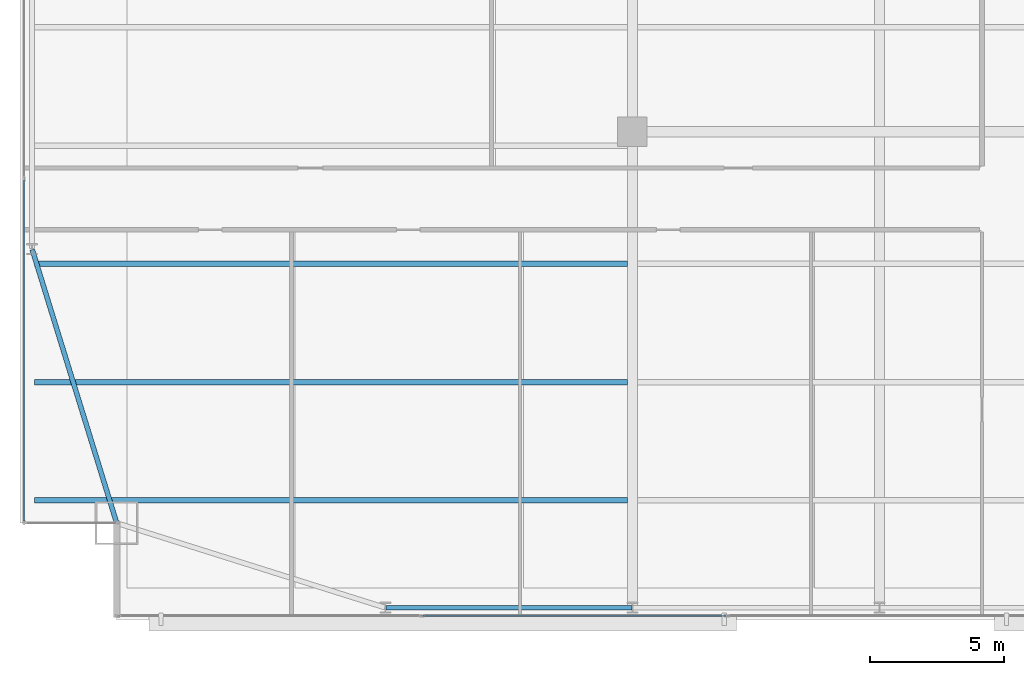
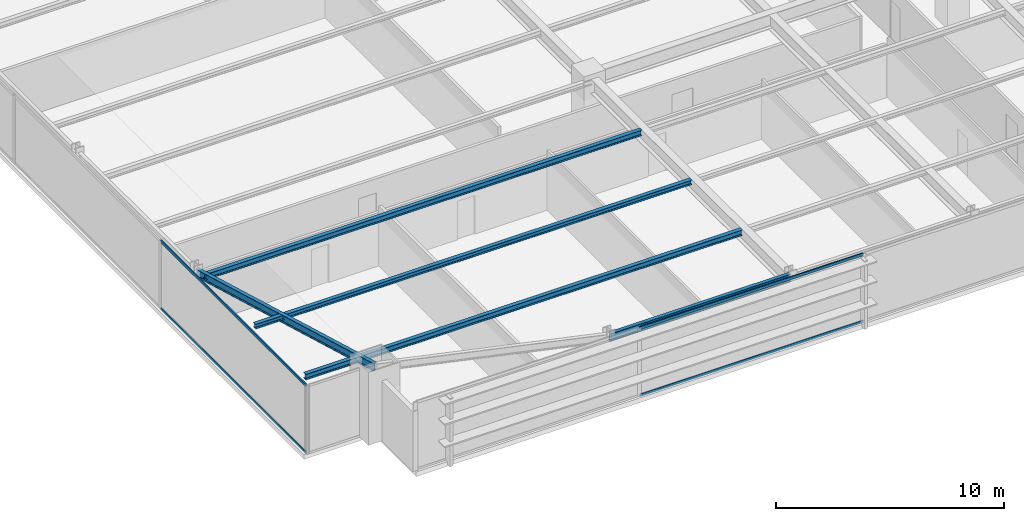
# One storey, part 5 of 30: 5 beams, 4 members, 2 elements without a shape of their own.
"""IFC4 building model written with IfcOpenShell, lengths in metres."""

import ifcopenshell
import ifcopenshell.guid

model = None  # the IFC model being written
_history = None  # IfcOwnerHistory: only IFC2X3 demands one
_inside = {}  # id of a spatial element -> (the spatial element, [elements in it])
_under = {}  # id of a project, library or spatial element -> (it, [spatial elements below it])
_declared = {}  # id of a project -> (the project, [libraries it declares])
_typed = {}  # id of a type object -> (the type object, [elements of that type])
_made_of = {}  # id of a material, layer set ... -> (it, [elements and type objects made of it])


def new_model(schema):
    """Start an empty IFC model of exactly this schema.

    Asked for "IFC4X3", IfcOpenShell would pick the latest addendum, in which some entities
    have other attributes; the version numbers below select the first issue.
    IFC2X3 requires an IfcOwnerHistory on every rooted entity: one is made here for all.
    """
    global model, _history
    if schema == "IFC4X3":
        model = ifcopenshell.file(schema_version=(4, 3, 0, 0))
    else:
        model = ifcopenshell.file(schema=schema)
    _inside.clear()
    _under.clear()
    _declared.clear()
    _typed.clear()
    _made_of.clear()
    _history = None
    if model.schema == "IFC2X3":
        org = make("IfcOrganization", Name="unknown")
        user = make(
            "IfcPersonAndOrganization",
            ThePerson=make("IfcPerson", FamilyName="unknown"),
            TheOrganization=org,
        )
        app = make(
            "IfcApplication",
            ApplicationDeveloper=org,
            Version="unknown",
            ApplicationFullName="unknown",
            ApplicationIdentifier="unknown",
        )
        _history = make(
            "IfcOwnerHistory",
            OwningUser=user,
            OwningApplication=app,
            ChangeAction="ADDED",
            CreationDate=0,
        )
    return model


def make(cls, **values):
    """One entity of the class cls with the attributes given. An attribute that is None is left unset."""
    return model.create_entity(
        cls, **{name: value for name, value in values.items() if value is not None}
    )


def rooted(cls, **values):
    """An entity with a GlobalId (a new one), such as an element, a storey or a relation."""
    return make(cls, GlobalId=ifcopenshell.guid.new(), OwnerHistory=_history, **values)


def si_unit(unit_type, name, prefix=None):
    """IfcSIUnit, for example si_unit("LENGTHUNIT", "METRE", prefix="MILLI")."""
    return make("IfcSIUnit", UnitType=unit_type, Prefix=prefix, Name=name)


def assignment(units):
    """IfcUnitAssignment: the units of a project."""
    return None if units is None else make("IfcUnitAssignment", Units=units)


def point(xyz):
    """IfcCartesianPoint."""
    return None if xyz is None else make("IfcCartesianPoint", Coordinates=xyz)


def direction(xyz):
    """IfcDirection."""
    return None if xyz is None else make("IfcDirection", DirectionRatios=xyz)


def frame(location, z_axis=None, x_axis=None):
    """IfcAxis2Placement3D, a coordinate frame: its origin and axes. An axis left out is left unset."""
    return make(
        "IfcAxis2Placement3D",
        Location=point(location),
        Axis=direction(z_axis),
        RefDirection=direction(x_axis),
    )


def frame_2d(location, x_axis=None):
    """IfcAxis2Placement2D, a coordinate frame in the plane: its origin and x axis."""
    return make(
        "IfcAxis2Placement2D", Location=point(location), RefDirection=direction(x_axis)
    )


def origin():
    """The frame at (0, 0, 0) with its axes left unset."""
    return frame((0.0, 0.0, 0.0))


def origin_2d():
    """The frame at (0, 0) in the plane with its x axis left unset."""
    return frame_2d((0.0, 0.0))


def place(relative_to, where):
    """IfcLocalPlacement: puts the frame where relative to a parent placement (None: the world)."""
    return make(
        "IfcLocalPlacement", PlacementRelTo=relative_to, RelativePlacement=where
    )


def context(
    kind, dimensions, precision=None, world=None, true_north=None, identifier=None
):
    """IfcGeometricRepresentationContext, for example the 3D "Model" context."""
    return make(
        "IfcGeometricRepresentationContext",
        ContextIdentifier=identifier,
        ContextType=kind,
        CoordinateSpaceDimension=dimensions,
        Precision=precision,
        WorldCoordinateSystem=world,
        TrueNorth=true_north,
    )


def subcontext(parent, identifier, kind, view, scale=None):
    """IfcGeometricRepresentationSubContext, for example "Body" below "Model"."""
    return make(
        "IfcGeometricRepresentationSubContext",
        ContextIdentifier=identifier,
        ContextType=kind,
        ParentContext=parent,
        TargetScale=scale,
        TargetView=view,
    )


def project(units=None, contexts=None):
    """IfcProject with its units and contexts."""
    return rooted(
        "IfcProject",
        Name="project",
        RepresentationContexts=contexts,
        UnitsInContext=assignment(units),
    )


def spatial(cls, under=None, at=None, **own):
    """A site, building, storey or space (cls), placed at a placement, below another one or the project."""
    s = rooted(cls, ObjectPlacement=at, **own)
    if under is not None:
        _under.setdefault(under.id(), (under, []))[1].append(s)
    return s


def profile(cls, at=None, kind="AREA", **sizes):
    """A parametric profile (cls). Its sizes go by their IFC names, for example OverallWidth=200.0."""
    return make(cls, ProfileType=kind, Position=at, **sizes)


def hollow_rectangle(**sizes):
    """IfcRectangleHollowProfileDef."""
    return profile("IfcRectangleHollowProfileDef", **sizes)


def i_section(**sizes):
    """IfcIShapeProfileDef."""
    return profile("IfcIShapeProfileDef", **sizes)


def extrude(swept, where, along, depth):
    """IfcExtrudedAreaSolid: the profile swept, set in the frame where, extruded along a direction by depth."""
    return make(
        "IfcExtrudedAreaSolid",
        SweptArea=swept,
        Position=where,
        ExtrudedDirection=direction(along),
        Depth=depth,
    )


def shape(context_of_items, identifier, shape_type, items):
    """IfcShapeRepresentation: the items that make up one representation, for example the "Body"."""
    return make(
        "IfcShapeRepresentation",
        ContextOfItems=context_of_items,
        RepresentationIdentifier=identifier,
        RepresentationType=shape_type,
        Items=items,
    )


def source(mapping_origin, context_of_items, identifier, shape_type, items):
    """IfcRepresentationMap: a shape defined once, which mapped items show again and again."""
    return make(
        "IfcRepresentationMap",
        MappingOrigin=mapping_origin,
        MappedRepresentation=shape(context_of_items, identifier, shape_type, items),
    )


def transform(
    local_origin,
    x_axis=None,
    y_axis=None,
    z_axis=None,
    scale=None,
    scale2=None,
    scale3=None,
    uniform=True,
):
    """IfcCartesianTransformationOperator3D, or its non-uniform kind. x_axis, y_axis, z_axis: its Axis1, 2, 3."""
    if uniform:
        return make(
            "IfcCartesianTransformationOperator3D",
            Axis1=direction(x_axis),
            Axis2=direction(y_axis),
            LocalOrigin=point(local_origin),
            Scale=scale,
            Axis3=direction(z_axis),
        )
    return make(
        "IfcCartesianTransformationOperator3DnonUniform",
        Axis1=direction(x_axis),
        Axis2=direction(y_axis),
        LocalOrigin=point(local_origin),
        Scale=scale,
        Axis3=direction(z_axis),
        Scale2=scale2,
        Scale3=scale3,
    )


def mapped(mapping_source, mapping_target):
    """IfcMappedItem: shows the shape of a source again, moved by a transform."""
    return make(
        "IfcMappedItem", MappingSource=mapping_source, MappingTarget=mapping_target
    )


def material(Name=None, Category=None):
    """IfcMaterial."""
    return make("IfcMaterial", Name=Name, Category=Category)


def layer(
    of_material, thickness, ventilated=None, Name=None, Category=None, Priority=None
):
    """IfcMaterialLayer: one layer of a wall or slab, of a material (None: an air gap)."""
    return make(
        "IfcMaterialLayer",
        Material=of_material,
        LayerThickness=thickness,
        IsVentilated=ventilated,
        Name=Name,
        Category=Category,
        Priority=Priority,
    )


def layer_set(layers, Name=None):
    """IfcMaterialLayerSet."""
    return make("IfcMaterialLayerSet", MaterialLayers=layers, LayerSetName=Name)


def material_profile(
    of_material, cross_section, Name=None, Category=None, Priority=None
):
    """IfcMaterialProfile: a cross section and its material."""
    return make(
        "IfcMaterialProfile",
        Name=Name,
        Material=of_material,
        Profile=cross_section,
        Priority=Priority,
        Category=Category,
    )


def profile_set(profiles, Name=None, composite=None):
    """IfcMaterialProfileSet."""
    return make(
        "IfcMaterialProfileSet",
        Name=Name,
        MaterialProfiles=profiles,
        CompositeProfile=composite,
    )


def made_of(thing, what):
    """Note that an element or type object is made of a material, layer set ...; save() writes the relation."""
    if what is not None:
        _made_of.setdefault(what.id(), (what, []))[1].append(thing)
    return thing


def type_object(cls, material=None, **own):
    """A type object (cls), such as IfcWallType, which elements share."""
    return made_of(rooted(cls, **own), material)


def type_shapes(of_type, sources):
    """Give a type object the sources (RepresentationMaps) that its elements show as mapped items."""
    of_type.RepresentationMaps = sources


def element(
    cls,
    number,
    at=None,
    inside=None,
    cuts=None,
    type_object=None,
    material=None,
    context=None,
    identifier="Body",
    shape_type=None,
    held_by="IfcProductDefinitionShape",
    body=None,
    shapes=None,
    **own,
):
    """One element of the class cls, such as IfcWall. Its Tag is "e" and its number.

    at: its placement. inside: the storey or other place that contains it. cuts: it is an
    opening in that element (IfcRelVoidsElement). A single representation is given by context,
    identifier, shape_type and body (its items); several are given by shapes. held_by: the class
    of the entity that holds the representations. save() writes the other relations.
    """
    e = rooted(cls, Tag="e%d" % number, ObjectPlacement=at, **own)
    if body is not None:
        shapes = [shape(context, identifier, shape_type, body)]
    if shapes is not None:
        e.Representation = make(held_by, Representations=shapes)
    if inside is not None:
        _inside.setdefault(inside.id(), (inside, []))[1].append(e)
    if cuts is not None:
        rooted(
            "IfcRelVoidsElement", RelatingBuildingElement=cuts, RelatedOpeningElement=e
        )
    if type_object is not None:
        _typed.setdefault(type_object.id(), (type_object, []))[1].append(e)
    return made_of(e, material)


def aggregate(whole, parts):
    """IfcRelAggregates: a whole, such as a stair, and the parts it consists of."""
    return rooted("IfcRelAggregates", RelatingObject=whole, RelatedObjects=parts)


def save(model, path):
    """Write the relations noted so far, then the file.

    IfcRelAggregates (storeys below a building ...), IfcRelContainedInSpatialStructure (elements
    in a storey), IfcRelDefinesByType, IfcRelAssociatesMaterial and IfcRelDeclares: one each for
    every whole, place, type object, material and project.
    """
    for whole, parts in _under.values():
        aggregate(whole, parts)
    for where, things in _inside.values():
        rooted(
            "IfcRelContainedInSpatialStructure",
            RelatedElements=things,
            RelatingStructure=where,
        )
    for kind, things in _typed.values():
        rooted("IfcRelDefinesByType", RelatedObjects=things, RelatingType=kind)
    for what, things in _made_of.values():
        rooted("IfcRelAssociatesMaterial", RelatedObjects=things, RelatingMaterial=what)
    for by, libraries in _declared.values():
        rooted("IfcRelDeclares", RelatingContext=by, RelatedDefinitions=libraries)
    model.write(path)


model = new_model("IFC4")

# Units and contexts
model_context = context("Model", 3, precision=1e-05, world=origin(), true_north=direction((0.0, 1.0)))
body_context = subcontext(model_context, "Body", "Model", "MODEL_VIEW")
ifc_project = project(units=[si_unit("LENGTHUNIT", "METRE"), si_unit("AREAUNIT", "SQUARE_METRE"), si_unit("VOLUMEUNIT", "CUBIC_METRE"), si_unit("PLANEANGLEUNIT", "RADIAN"), si_unit("MASSUNIT", "GRAM", prefix="KILO")], contexts=[model_context])

# Site, building, storey
site_placement = place(None, origin())
site = spatial("IfcSite", under=ifc_project, at=site_placement, CompositionType="ELEMENT")
building_placement = place(site_placement, origin())
building = spatial("IfcBuilding", under=site, at=building_placement, Name="Varnel Quay Broadcast Tower", CompositionType="ELEMENT")
storey_placement = place(building_placement, frame((0.0, 0.0, 62.699951171875)))
storey = spatial("IfcBuildingStorey", under=building, at=storey_placement, Name="L14", CompositionType="ELEMENT", Elevation=62.699951171875)

# Beams
ifc_material_1 = material(Name="Structural Steel CSA G40.21 350W", Category="steel")
ifc_material_profile_1 = material_profile(ifc_material_1, i_section(OverallWidth=0.180908203125, OverallDepth=0.4169921875, WebThickness=0.010986328125, FlangeThickness=0.018310546875, FilletRadius=0.011962890625, at=origin_2d()), Name="W410X85")
ifc_profile_set_1 = profile_set([ifc_material_profile_1], Name="Structural Steel CSA G40.21 350W")
beam_type_1 = type_object("IfcBeamType", Name="Beam_W410X85", PredefinedType="SPANDREL", material=ifc_profile_set_1)
shared_shape_1 = source(origin(), body_context, "Body", "SweptSolid", [
    extrude(i_section(OverallWidth=0.180908203125, OverallDepth=0.4169921875, WebThickness=0.010986328125, FlangeThickness=0.018310546875, FilletRadius=0.011962890625, at=origin_2d()), origin(), (0.0, 0.0, 1.0), 9.159912109375),
])
beam_1_placement = place(storey_placement, frame((15.6201171875, 1.64990234375, 3.441650390625), z_axis=(1.0, 0.0, 0.0), x_axis=(0.0, 1.0, 0.0)))
element("IfcBeam", 1, at=beam_1_placement, inside=storey, type_object=beam_type_1, Name="L14 South Spandrel TC-S1-TC-S2", PredefinedType="SPANDREL", context=body_context, shape_type="MappedRepresentation", body=[
    mapped(shared_shape_1, transform((0.0, 0.0, 0.0), x_axis=(1.0, 0.0, 0.0), y_axis=(0.0, 1.0, 0.0), z_axis=(0.0, 0.0, 1.0), scale=1.0)),
])
shared_shape_2 = source(origin(), body_context, "Body", "SweptSolid", [
    extrude(i_section(OverallWidth=0.180908203125, OverallDepth=0.4169921875, WebThickness=0.010986328125, FlangeThickness=0.018310546875, FilletRadius=0.011962890625, at=origin_2d()), origin(), (0.0, 0.0, 1.0), 10.635498046875),
])
type_shapes(beam_type_1, [shared_shape_1, shared_shape_2])
beam_2_placement = place(storey_placement, frame((5.593994140625, 4.819091796875, 3.441650390625), z_axis=(-0.295069676324, 0.955475738108, 0.0), x_axis=(-0.955475738108, -0.295069676324, 0.0)))
element("IfcBeam", 2, at=beam_2_placement, inside=storey, type_object=beam_type_1, Name="L14 West Spandrel MC-SW-TC-W1", PredefinedType="SPANDREL", context=body_context, shape_type="MappedRepresentation", body=[
    mapped(shared_shape_2, transform((0.0, 0.0, 0.0), x_axis=(1.0, 0.0, 0.0), y_axis=(0.0, 1.0, 0.0), z_axis=(0.0, 0.0, 1.0), scale=1.0)),
])
ifc_material_profile_2 = material_profile(ifc_material_1, i_section(OverallWidth=0.202880859375, OverallDepth=0.302978515625, WebThickness=0.007568359375, FlangeThickness=0.01318359375, FilletRadius=0.011962890625, at=origin_2d()), Name="W310X60")
ifc_profile_set_2 = profile_set([ifc_material_profile_2], Name="Structural Steel CSA G40.21 350W")
beam_type_2 = type_object("IfcBeamType", Name="Beam_W310X60", PredefinedType="JOIST", material=ifc_profile_set_2)
shared_shape_3 = source(origin(), body_context, "Body", "SweptSolid", [
    extrude(i_section(OverallWidth=0.202880859375, OverallDepth=0.302978515625, WebThickness=0.007568359375, FlangeThickness=0.01318359375, FilletRadius=0.011962890625, at=origin_2d()), origin(), (0.0, 0.0, 1.0), 22.0791015625),
])
type_shapes(beam_type_2, [shared_shape_3])
for number, where, z_axis, x_axis, name in (
    (3, (2.535400390625, 5.64990234375, 3.49853515625), (1.0, 0.0, 0.0), (0.0, 1.0, 0.0), "L14 West Floor Joist 1"),
    (4, (2.535400390625, 14.449951171875, 3.49853515625), (1.0, 0.0, 0.0), (0.0, 1.0, 0.0), "L14 West Floor Joist 3"),
):
    element("IfcBeam", number, at=place(storey_placement, frame(where, z_axis=z_axis, x_axis=x_axis)), inside=storey, type_object=beam_type_2, Name=name, PredefinedType="JOIST", context=body_context, shape_type="MappedRepresentation", body=[
        mapped(shared_shape_3, transform((0.0, 0.0, 0.0), x_axis=(1.0, 0.0, 0.0), y_axis=(0.0, 1.0, 0.0), z_axis=(0.0, 0.0, 1.0), scale=1.0)),
    ])
ifc_material_profile_3 = material_profile(ifc_material_1, i_section(OverallWidth=0.201904296875, OverallDepth=0.2470703125, WebThickness=0.00732421875, FlangeThickness=0.010986328125, FilletRadius=0.010986328125, at=origin_2d()), Name="W250X49")
ifc_profile_set_3 = profile_set([ifc_material_profile_3], Name="Structural Steel CSA G40.21 350W")
beam_type_3 = type_object("IfcBeamType", Name="Beam_W250X49", PredefinedType="JOIST", material=ifc_profile_set_3)
shared_shape_4 = source(origin(), body_context, "Body", "SweptSolid", [
    extrude(i_section(OverallWidth=0.201904296875, OverallDepth=0.2470703125, WebThickness=0.00732421875, FlangeThickness=0.010986328125, FilletRadius=0.010986328125, at=origin_2d()), origin(), (0.0, 0.0, 1.0), 22.0791015625),
])
type_shapes(beam_type_3, [shared_shape_4])
beam_3_placement = place(storey_placement, frame((2.535400390625, 10.050048828125, 3.526611328125), z_axis=(1.0, 0.0, 0.0), x_axis=(0.0, 1.0, 0.0)))
element("IfcBeam", 5, at=beam_3_placement, inside=storey, type_object=beam_type_3, Name="L14 West Floor Joist 2", PredefinedType="JOIST", context=body_context, shape_type="MappedRepresentation", body=[
    mapped(shared_shape_4, transform((0.0, 0.0, 0.0), x_axis=(1.0, 0.0, 0.0), y_axis=(0.0, 1.0, 0.0), z_axis=(0.0, 0.0, 1.0), scale=1.0)),
])

# Curtain wall, members
ifc_material_2 = material(Name="Anodised Bronze Aluminium 6063-T6", Category="aluminium")
ifc_layer = layer(ifc_material_2, 0.18994140625, Name="Anodised Bronze Aluminium 6063-T6")
ifc_layer_set = layer_set([ifc_layer], Name="Anodised Bronze Aluminium 6063-T6")
curtain_wall_type = type_object("IfcCurtainWallType", Name="CW_LowerTower", PredefinedType="NOTDEFINED", material=ifc_layer_set)
curtain_wall_1_placement = place(storey_placement, origin())
curtain_wall_1 = element("IfcCurtainWall", 6, at=curtain_wall_1_placement, inside=storey, type_object=curtain_wall_type, Name="L14 West Unitised Curtain Wall", PredefinedType="NOTDEFINED")
ifc_material_profile_4 = material_profile(ifc_material_2, hollow_rectangle(XDim=0.06005859375, YDim=0.14501953125, WallThickness=0.00341796875, at=origin_2d()), Name="ALU60X145X3.5")
ifc_profile_set_4 = profile_set([ifc_material_profile_4], Name="Anodised Bronze Aluminium 6063-T6")
member_type = type_object("IfcMemberType", Name="Tran_CWS-02", PredefinedType="USERDEFINED", material=ifc_profile_set_4)
shared_shape_5 = source(origin(), body_context, "Body", "SweptSolid", [
    extrude(hollow_rectangle(XDim=0.06005859375, YDim=0.14501953125, WallThickness=0.00341796875, at=origin_2d()), origin(), (0.0, 0.0, 1.0), 12.69482421875),
])
member_1_placement = place(storey_placement, frame((2.14990234375, 4.8701171875, 0.030029296875), z_axis=(0.0, 1.0, 0.0), x_axis=(-1.0, 0.0, 0.0)))
member_1 = element("IfcMember", 7, at=member_1_placement, type_object=member_type, Name="CWS-02 transom 1.1", ObjectType="TRANSOM", PredefinedType="USERDEFINED", context=body_context, shape_type="MappedRepresentation", body=[
    mapped(shared_shape_5, transform((0.0, 0.0, 0.0), x_axis=(1.0, 0.0, 0.0), y_axis=(0.0, 1.0, 0.0), z_axis=(0.0, 0.0, 1.0), scale=1.0)),
])
member_2_placement = place(storey_placement, frame((2.14990234375, 4.8701171875, 3.6201171875), z_axis=(0.0, 1.0, 0.0), x_axis=(-1.0, 0.0, 0.0)))
member_2 = element("IfcMember", 8, at=member_2_placement, type_object=member_type, Name="CWS-02 transom 1.2", ObjectType="TRANSOM", PredefinedType="USERDEFINED", context=body_context, shape_type="MappedRepresentation", body=[
    mapped(shared_shape_5, transform((0.0, 0.0, 0.0), x_axis=(1.0, 0.0, 0.0), y_axis=(0.0, 1.0, 0.0), z_axis=(0.0, 0.0, 1.0), scale=1.0)),
])
aggregate(curtain_wall_1, [member_1, member_2])

curtain_wall_2_placement = place(storey_placement, origin())
curtain_wall_2 = element("IfcCurtainWall", 9, at=curtain_wall_2_placement, inside=storey, type_object=curtain_wall_type, Name="L14 South Unitised Curtain Wall 1", PredefinedType="NOTDEFINED")
shared_shape_6 = source(origin(), body_context, "Body", "SweptSolid", [
    extrude(hollow_rectangle(XDim=0.06005859375, YDim=0.14501953125, WallThickness=0.00341796875, at=origin_2d()), origin(), (0.0, 0.0, 1.0), 11.289794921875),
])
type_shapes(member_type, [shared_shape_5, shared_shape_6])
member_3_placement = place(storey_placement, frame((16.9951171875, 1.35009765625, 0.030029296875), z_axis=(1.0, 0.0, 0.0), x_axis=(0.0, 1.0, 0.0)))
member_3 = element("IfcMember", 10, at=member_3_placement, type_object=member_type, Name="CWS-02 transom 2.1", ObjectType="TRANSOM", PredefinedType="USERDEFINED", context=body_context, shape_type="MappedRepresentation", body=[
    mapped(shared_shape_6, transform((0.0, 0.0, 0.0), x_axis=(1.0, 0.0, 0.0), y_axis=(0.0, 1.0, 0.0), z_axis=(0.0, 0.0, 1.0), scale=1.0)),
])
member_4_placement = place(storey_placement, frame((16.9951171875, 1.35009765625, 3.6201171875), z_axis=(1.0, 0.0, 0.0), x_axis=(0.0, 1.0, 0.0)))
member_4 = element("IfcMember", 11, at=member_4_placement, type_object=member_type, Name="CWS-02 transom 2.2", ObjectType="TRANSOM", PredefinedType="USERDEFINED", context=body_context, shape_type="MappedRepresentation", body=[
    mapped(shared_shape_6, transform((0.0, 0.0, 0.0), x_axis=(1.0, 0.0, 0.0), y_axis=(0.0, 1.0, 0.0), z_axis=(0.0, 0.0, 1.0), scale=1.0)),
])
aggregate(curtain_wall_2, [member_3, member_4])

save(model, "model.ifc")
